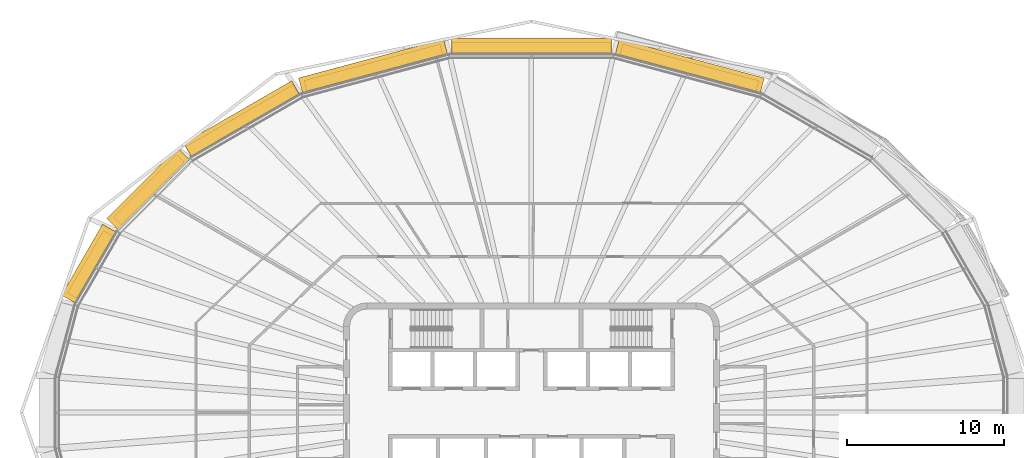
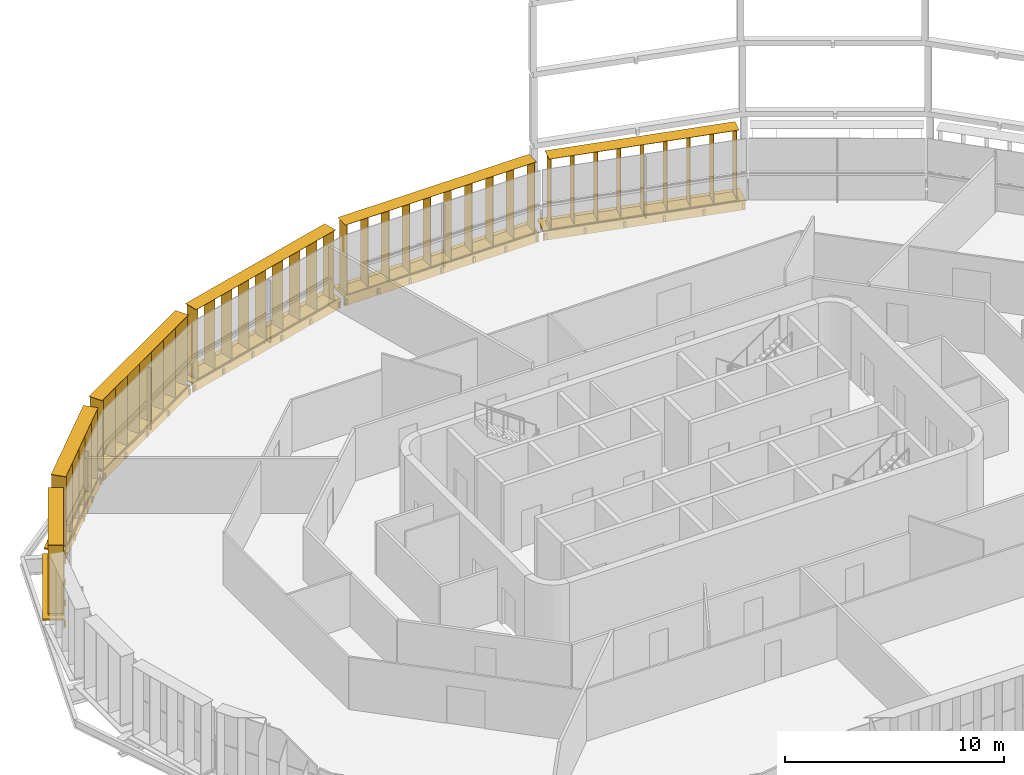
# One storey, part 19 of 20: 12 shading devices.
"""IFC4 building model written with IfcOpenShell, lengths in metres."""

from ifc_helpers import new_model, si_unit, direction, frame, origin, origin_2d, place, context, subcontext, project, spatial, rectangle, extrude, material, type_object, element, save


model = new_model("IFC4")

# Units and contexts
model_context = context("Model", 3, precision=1e-05, world=origin(), true_north=direction((0.0, 1.0)))
body_context = subcontext(model_context, "Body", "Model", "MODEL_VIEW")
ifc_project = project(units=[si_unit("LENGTHUNIT", "METRE"), si_unit("AREAUNIT", "SQUARE_METRE"), si_unit("VOLUMEUNIT", "CUBIC_METRE"), si_unit("PLANEANGLEUNIT", "RADIAN"), si_unit("MASSUNIT", "GRAM", prefix="KILO")], contexts=[model_context])

# Site, building, storey
site_placement = place(None, origin())
site = spatial("IfcSite", under=ifc_project, at=site_placement, CompositionType="ELEMENT")
building_placement = place(site_placement, origin())
building = spatial("IfcBuilding", under=site, at=building_placement, Name="Sahrelin Media Tower", CompositionType="ELEMENT")
storey_placement = place(building_placement, frame((0.0, 0.0, 255.0)))
storey = spatial("IfcBuildingStorey", under=building, at=storey_placement, Name="L55", CompositionType="ELEMENT", Elevation=255.0)

# Shading devices
ifc_material = material(Name="Champagne anodised aluminium 6063-T6", Category="aluminium")
shading_device_type_1 = type_object("IfcShadingDeviceType", Name="Fin cassette", PredefinedType="USERDEFINED", material=ifc_material)
placement_1 = place(storey_placement, frame((9.96875, 21.6005859375, 0.0), z_axis=(0.0, 0.0, 1.0), x_axis=(0.965928857556, -0.258807731996, 0.0)))
element("IfcShadingDevice", 1, at=placement_1, inside=storey, type_object=shading_device_type_1, Name="L55:FIN:L55-05", ObjectType="FIN", PredefinedType="USERDEFINED", context=body_context, shape_type="SweptSolid", body=[
    extrude(rectangle(XDim=9.0, YDim=0.699951171875, at=origin_2d()), frame((0.0, 0.419921875, 0.0)), (0.0, 0.0, 1.0), 0.02001953125),
    extrude(rectangle(XDim=9.0, YDim=0.699951171875, at=origin_2d()), frame((0.0, 0.419921875, 3.89990234375)), (0.0, 0.0, 1.0), 0.02001953125),
    extrude(rectangle(XDim=0.02001953125, YDim=0.699951171875, at=origin_2d()), frame((-4.39990234375, 0.419921875, 0.010009765625), z_axis=(0.0, 0.0, 1.0), x_axis=(1.0, 0.0, 0.0)), (0.0, 0.0, 1.0), 3.89990234375),
    extrude(rectangle(XDim=0.02001953125, YDim=0.699951171875, at=origin_2d()), frame((-3.300048828125, 0.419921875, 0.010009765625), z_axis=(0.0, 0.0, 1.0), x_axis=(1.0, 0.0, 0.0)), (0.0, 0.0, 1.0), 3.89990234375),
    extrude(rectangle(XDim=0.02001953125, YDim=0.699951171875, at=origin_2d()), frame((-2.199951171875, 0.419921875, 0.010009765625), z_axis=(0.0, 0.0, 1.0), x_axis=(1.0, 0.0, 0.0)), (0.0, 0.0, 1.0), 3.89990234375),
    extrude(rectangle(XDim=0.02001953125, YDim=0.699951171875, at=origin_2d()), frame((-1.10009765625, 0.419921875, 0.010009765625), z_axis=(0.0, 0.0, 1.0), x_axis=(1.0, 0.0, 0.0)), (0.0, 0.0, 1.0), 3.89990234375),
    extrude(rectangle(XDim=0.02001953125, YDim=0.699951171875, at=origin_2d()), frame((0.0, 0.419921875, 0.010009765625), z_axis=(0.0, 0.0, 1.0), x_axis=(1.0, 0.0, 0.0)), (0.0, 0.0, 1.0), 3.89990234375),
    extrude(rectangle(XDim=0.02001953125, YDim=0.699951171875, at=origin_2d()), frame((1.10009765625, 0.419921875, 0.010009765625), z_axis=(0.0, 0.0, 1.0), x_axis=(1.0, 0.0, 0.0)), (0.0, 0.0, 1.0), 3.89990234375),
    extrude(rectangle(XDim=0.02001953125, YDim=0.699951171875, at=origin_2d()), frame((2.199951171875, 0.419921875, 0.010009765625), z_axis=(0.0, 0.0, 1.0), x_axis=(1.0, 0.0, 0.0)), (0.0, 0.0, 1.0), 3.89990234375),
    extrude(rectangle(XDim=0.02001953125, YDim=0.699951171875, at=origin_2d()), frame((3.300048828125, 0.419921875, 0.010009765625), z_axis=(0.0, 0.0, 1.0), x_axis=(1.0, 0.0, 0.0)), (0.0, 0.0, 1.0), 3.89990234375),
    extrude(rectangle(XDim=0.02001953125, YDim=0.699951171875, at=origin_2d()), frame((4.39990234375, 0.419921875, 0.010009765625), z_axis=(0.0, 0.0, 1.0), x_axis=(1.0, 0.0, 0.0)), (0.0, 0.0, 1.0), 3.89990234375),
])
placement_2 = place(storey_placement, frame((0.0, 22.8662109375, 0.0), z_axis=(0.0, 0.0, 1.0), x_axis=(1.0, 0.0, 0.0)))
element("IfcShadingDevice", 2, at=placement_2, inside=storey, type_object=shading_device_type_1, Name="L55:FIN:L55-06", ObjectType="FIN", PredefinedType="USERDEFINED", context=body_context, shape_type="SweptSolid", body=[
    extrude(rectangle(XDim=10.10009765625, YDim=0.699951171875, at=origin_2d()), frame((0.0, 0.419921875, 0.0)), (0.0, 0.0, 1.0), 0.02001953125),
    extrude(rectangle(XDim=10.10009765625, YDim=0.699951171875, at=origin_2d()), frame((0.0, 0.419921875, 3.89990234375)), (0.0, 0.0, 1.0), 0.02001953125),
    extrude(rectangle(XDim=0.02001953125, YDim=0.699951171875, at=origin_2d()), frame((-4.949951171875, 0.419921875, 0.010009765625), z_axis=(0.0, 0.0, 1.0), x_axis=(1.0, 0.0, 0.0)), (0.0, 0.0, 1.0), 3.89990234375),
    extrude(rectangle(XDim=0.02001953125, YDim=0.699951171875, at=origin_2d()), frame((-3.85009765625, 0.419921875, 0.010009765625), z_axis=(0.0, 0.0, 1.0), x_axis=(1.0, 0.0, 0.0)), (0.0, 0.0, 1.0), 3.89990234375),
    extrude(rectangle(XDim=0.02001953125, YDim=0.699951171875, at=origin_2d()), frame((-2.75, 0.419921875, 0.010009765625), z_axis=(0.0, 0.0, 1.0), x_axis=(1.0, 0.0, 0.0)), (0.0, 0.0, 1.0), 3.89990234375),
    extrude(rectangle(XDim=0.02001953125, YDim=0.699951171875, at=origin_2d()), frame((-1.64990234375, 0.419921875, 0.010009765625), z_axis=(0.0, 0.0, 1.0), x_axis=(1.0, 0.0, 0.0)), (0.0, 0.0, 1.0), 3.89990234375),
    extrude(rectangle(XDim=0.02001953125, YDim=0.699951171875, at=origin_2d()), frame((-0.550048828125, 0.419921875, 0.010009765625), z_axis=(0.0, 0.0, 1.0), x_axis=(1.0, 0.0, 0.0)), (0.0, 0.0, 1.0), 3.89990234375),
    extrude(rectangle(XDim=0.02001953125, YDim=0.699951171875, at=origin_2d()), frame((0.550048828125, 0.419921875, 0.010009765625), z_axis=(0.0, 0.0, 1.0), x_axis=(1.0, 0.0, 0.0)), (0.0, 0.0, 1.0), 3.89990234375),
    extrude(rectangle(XDim=0.02001953125, YDim=0.699951171875, at=origin_2d()), frame((1.64990234375, 0.419921875, 0.010009765625), z_axis=(0.0, 0.0, 1.0), x_axis=(1.0, 0.0, 0.0)), (0.0, 0.0, 1.0), 3.89990234375),
    extrude(rectangle(XDim=0.02001953125, YDim=0.699951171875, at=origin_2d()), frame((2.75, 0.419921875, 0.010009765625), z_axis=(0.0, 0.0, 1.0), x_axis=(1.0, 0.0, 0.0)), (0.0, 0.0, 1.0), 3.89990234375),
    extrude(rectangle(XDim=0.02001953125, YDim=0.699951171875, at=origin_2d()), frame((3.85009765625, 0.419921875, 0.010009765625), z_axis=(0.0, 0.0, 1.0), x_axis=(1.0, 0.0, 0.0)), (0.0, 0.0, 1.0), 3.89990234375),
    extrude(rectangle(XDim=0.02001953125, YDim=0.699951171875, at=origin_2d()), frame((4.949951171875, 0.419921875, 0.010009765625), z_axis=(0.0, 0.0, 1.0), x_axis=(1.0, 0.0, 0.0)), (0.0, 0.0, 1.0), 3.89990234375),
])
placement_3 = place(storey_placement, frame((-9.96875, 21.6005859375, 0.0), z_axis=(0.0, 0.0, 1.0), x_axis=(0.965928857556, 0.258807731996, 0.0)))
element("IfcShadingDevice", 3, at=placement_3, inside=storey, type_object=shading_device_type_1, Name="L55:FIN:L55-07", ObjectType="FIN", PredefinedType="USERDEFINED", context=body_context, shape_type="SweptSolid", body=[
    extrude(rectangle(XDim=9.0, YDim=0.699951171875, at=origin_2d()), frame((0.0, 0.419921875, 0.0)), (0.0, 0.0, 1.0), 0.02001953125),
    extrude(rectangle(XDim=9.0, YDim=0.699951171875, at=origin_2d()), frame((0.0, 0.419921875, 3.89990234375)), (0.0, 0.0, 1.0), 0.02001953125),
    extrude(rectangle(XDim=0.02001953125, YDim=0.699951171875, at=origin_2d()), frame((-4.39990234375, 0.419921875, 0.010009765625), z_axis=(0.0, 0.0, 1.0), x_axis=(1.0, 0.0, 0.0)), (0.0, 0.0, 1.0), 3.89990234375),
    extrude(rectangle(XDim=0.02001953125, YDim=0.699951171875, at=origin_2d()), frame((-3.300048828125, 0.419921875, 0.010009765625), z_axis=(0.0, 0.0, 1.0), x_axis=(1.0, 0.0, 0.0)), (0.0, 0.0, 1.0), 3.89990234375),
    extrude(rectangle(XDim=0.02001953125, YDim=0.699951171875, at=origin_2d()), frame((-2.199951171875, 0.419921875, 0.010009765625), z_axis=(0.0, 0.0, 1.0), x_axis=(1.0, 0.0, 0.0)), (0.0, 0.0, 1.0), 3.89990234375),
    extrude(rectangle(XDim=0.02001953125, YDim=0.699951171875, at=origin_2d()), frame((-1.10009765625, 0.419921875, 0.010009765625), z_axis=(0.0, 0.0, 1.0), x_axis=(1.0, 0.0, 0.0)), (0.0, 0.0, 1.0), 3.89990234375),
    extrude(rectangle(XDim=0.02001953125, YDim=0.699951171875, at=origin_2d()), frame((0.0, 0.419921875, 0.010009765625), z_axis=(0.0, 0.0, 1.0), x_axis=(1.0, 0.0, 0.0)), (0.0, 0.0, 1.0), 3.89990234375),
    extrude(rectangle(XDim=0.02001953125, YDim=0.699951171875, at=origin_2d()), frame((1.10009765625, 0.419921875, 0.010009765625), z_axis=(0.0, 0.0, 1.0), x_axis=(1.0, 0.0, 0.0)), (0.0, 0.0, 1.0), 3.89990234375),
    extrude(rectangle(XDim=0.02001953125, YDim=0.699951171875, at=origin_2d()), frame((2.199951171875, 0.419921875, 0.010009765625), z_axis=(0.0, 0.0, 1.0), x_axis=(1.0, 0.0, 0.0)), (0.0, 0.0, 1.0), 3.89990234375),
    extrude(rectangle(XDim=0.02001953125, YDim=0.699951171875, at=origin_2d()), frame((3.300048828125, 0.419921875, 0.010009765625), z_axis=(0.0, 0.0, 1.0), x_axis=(1.0, 0.0, 0.0)), (0.0, 0.0, 1.0), 3.89990234375),
    extrude(rectangle(XDim=0.02001953125, YDim=0.699951171875, at=origin_2d()), frame((4.39990234375, 0.419921875, 0.010009765625), z_axis=(0.0, 0.0, 1.0), x_axis=(1.0, 0.0, 0.0)), (0.0, 0.0, 1.0), 3.89990234375),
])
placement_4 = place(storey_placement, frame((-18.234375, 18.2900390625, 0.0), z_axis=(0.0, 0.0, 1.0), x_axis=(0.866019052629, 0.500011000363, 0.0)))
element("IfcShadingDevice", 4, at=placement_4, inside=storey, type_object=shading_device_type_1, Name="L55:FIN:L55-08", ObjectType="FIN", PredefinedType="USERDEFINED", context=body_context, shape_type="SweptSolid", body=[
    extrude(rectangle(XDim=7.89990234375, YDim=0.699951171875, at=origin_2d()), frame((0.0, 0.419921875, 0.0)), (0.0, 0.0, 1.0), 0.02001953125),
    extrude(rectangle(XDim=7.89990234375, YDim=0.699951171875, at=origin_2d()), frame((0.0, 0.419921875, 3.89990234375)), (0.0, 0.0, 1.0), 0.02001953125),
    extrude(rectangle(XDim=0.02001953125, YDim=0.699951171875, at=origin_2d()), frame((-3.85009765625, 0.419921875, 0.010009765625), z_axis=(0.0, 0.0, 1.0), x_axis=(1.0, 0.0, 0.0)), (0.0, 0.0, 1.0), 3.89990234375),
    extrude(rectangle(XDim=0.02001953125, YDim=0.699951171875, at=origin_2d()), frame((-2.75, 0.419921875, 0.010009765625), z_axis=(0.0, 0.0, 1.0), x_axis=(1.0, 0.0, 0.0)), (0.0, 0.0, 1.0), 3.89990234375),
    extrude(rectangle(XDim=0.02001953125, YDim=0.699951171875, at=origin_2d()), frame((-1.64990234375, 0.419921875, 0.010009765625), z_axis=(0.0, 0.0, 1.0), x_axis=(1.0, 0.0, 0.0)), (0.0, 0.0, 1.0), 3.89990234375),
    extrude(rectangle(XDim=0.02001953125, YDim=0.699951171875, at=origin_2d()), frame((-0.550048828125, 0.419921875, 0.010009765625), z_axis=(0.0, 0.0, 1.0), x_axis=(1.0, 0.0, 0.0)), (0.0, 0.0, 1.0), 3.89990234375),
    extrude(rectangle(XDim=0.02001953125, YDim=0.699951171875, at=origin_2d()), frame((0.550048828125, 0.419921875, 0.010009765625), z_axis=(0.0, 0.0, 1.0), x_axis=(1.0, 0.0, 0.0)), (0.0, 0.0, 1.0), 3.89990234375),
    extrude(rectangle(XDim=0.02001953125, YDim=0.699951171875, at=origin_2d()), frame((1.64990234375, 0.419921875, 0.010009765625), z_axis=(0.0, 0.0, 1.0), x_axis=(1.0, 0.0, 0.0)), (0.0, 0.0, 1.0), 3.89990234375),
    extrude(rectangle(XDim=0.02001953125, YDim=0.699951171875, at=origin_2d()), frame((2.75, 0.419921875, 0.010009765625), z_axis=(0.0, 0.0, 1.0), x_axis=(1.0, 0.0, 0.0)), (0.0, 0.0, 1.0), 3.89990234375),
    extrude(rectangle(XDim=0.02001953125, YDim=0.699951171875, at=origin_2d()), frame((3.85009765625, 0.419921875, 0.010009765625), z_axis=(0.0, 0.0, 1.0), x_axis=(1.0, 0.0, 0.0)), (0.0, 0.0, 1.0), 3.89990234375),
])
placement_5 = place(storey_placement, frame((-24.102294921875, 13.9189453125, 0.0), z_axis=(0.0, 0.0, 1.0), x_axis=(0.707106781187, 0.707106781187, 0.0)))
element("IfcShadingDevice", 5, at=placement_5, inside=storey, type_object=shading_device_type_1, Name="L55:FIN:L55-09", ObjectType="FIN", PredefinedType="USERDEFINED", context=body_context, shape_type="SweptSolid", body=[
    extrude(rectangle(XDim=5.699951171875, YDim=0.699951171875, at=origin_2d()), frame((0.0, 0.419921875, 0.0)), (0.0, 0.0, 1.0), 0.02001953125),
    extrude(rectangle(XDim=5.699951171875, YDim=0.699951171875, at=origin_2d()), frame((0.0, 0.419921875, 3.89990234375)), (0.0, 0.0, 1.0), 0.02001953125),
    extrude(rectangle(XDim=0.02001953125, YDim=0.699951171875, at=origin_2d()), frame((-2.75, 0.419921875, 0.010009765625), z_axis=(0.0, 0.0, 1.0), x_axis=(1.0, 0.0, 0.0)), (0.0, 0.0, 1.0), 3.89990234375),
    extrude(rectangle(XDim=0.02001953125, YDim=0.699951171875, at=origin_2d()), frame((-1.64990234375, 0.419921875, 0.010009765625), z_axis=(0.0, 0.0, 1.0), x_axis=(1.0, 0.0, 0.0)), (0.0, 0.0, 1.0), 3.89990234375),
    extrude(rectangle(XDim=0.02001953125, YDim=0.699951171875, at=origin_2d()), frame((-0.550048828125, 0.419921875, 0.010009765625), z_axis=(0.0, 0.0, 1.0), x_axis=(1.0, 0.0, 0.0)), (0.0, 0.0, 1.0), 3.89990234375),
    extrude(rectangle(XDim=0.02001953125, YDim=0.699951171875, at=origin_2d()), frame((0.550048828125, 0.419921875, 0.010009765625), z_axis=(0.0, 0.0, 1.0), x_axis=(1.0, 0.0, 0.0)), (0.0, 0.0, 1.0), 3.89990234375),
    extrude(rectangle(XDim=0.02001953125, YDim=0.699951171875, at=origin_2d()), frame((1.64990234375, 0.419921875, 0.010009765625), z_axis=(0.0, 0.0, 1.0), x_axis=(1.0, 0.0, 0.0)), (0.0, 0.0, 1.0), 3.89990234375),
    extrude(rectangle(XDim=0.02001953125, YDim=0.699951171875, at=origin_2d()), frame((2.75, 0.419921875, 0.010009765625), z_axis=(0.0, 0.0, 1.0), x_axis=(1.0, 0.0, 0.0)), (0.0, 0.0, 1.0), 3.89990234375),
])
placement_6 = place(storey_placement, frame((-27.784912109375, 9.243408203125, 0.0), z_axis=(0.0, 0.0, 1.0), x_axis=(0.500011000363, 0.866019052629, 0.0)))
element("IfcShadingDevice", 6, at=placement_6, inside=storey, type_object=shading_device_type_1, Name="L55:FIN:L55-10", ObjectType="FIN", PredefinedType="USERDEFINED", context=body_context, shape_type="SweptSolid", body=[
    extrude(rectangle(XDim=4.60009765625, YDim=0.699951171875, at=origin_2d()), frame((0.0, 0.419921875, 0.0)), (0.0, 0.0, 1.0), 0.02001953125),
    extrude(rectangle(XDim=4.60009765625, YDim=0.699951171875, at=origin_2d()), frame((0.0, 0.419921875, 3.89990234375)), (0.0, 0.0, 1.0), 0.02001953125),
    extrude(rectangle(XDim=0.02001953125, YDim=0.699951171875, at=origin_2d()), frame((-2.199951171875, 0.419921875, 0.010009765625), z_axis=(0.0, 0.0, 1.0), x_axis=(1.0, 0.0, 0.0)), (0.0, 0.0, 1.0), 3.89990234375),
    extrude(rectangle(XDim=0.02001953125, YDim=0.699951171875, at=origin_2d()), frame((-1.10009765625, 0.419921875, 0.010009765625), z_axis=(0.0, 0.0, 1.0), x_axis=(1.0, 0.0, 0.0)), (0.0, 0.0, 1.0), 3.89990234375),
    extrude(rectangle(XDim=0.02001953125, YDim=0.699951171875, at=origin_2d()), frame((0.0, 0.419921875, 0.010009765625), z_axis=(0.0, 0.0, 1.0), x_axis=(1.0, 0.0, 0.0)), (0.0, 0.0, 1.0), 3.89990234375),
    extrude(rectangle(XDim=0.02001953125, YDim=0.699951171875, at=origin_2d()), frame((1.10009765625, 0.419921875, 0.010009765625), z_axis=(0.0, 0.0, 1.0), x_axis=(1.0, 0.0, 0.0)), (0.0, 0.0, 1.0), 3.89990234375),
    extrude(rectangle(XDim=0.02001953125, YDim=0.699951171875, at=origin_2d()), frame((2.199951171875, 0.419921875, 0.010009765625), z_axis=(0.0, 0.0, 1.0), x_axis=(1.0, 0.0, 0.0)), (0.0, 0.0, 1.0), 3.89990234375),
])
shading_device_type_2 = type_object("IfcShadingDeviceType", Name="Sunshade band", PredefinedType="USERDEFINED", material=ifc_material)
element("IfcShadingDevice", 7, at=placement_1, inside=storey, type_object=shading_device_type_2, Name="L55:SUN:L55-05", ObjectType="SUNSHADE", PredefinedType="USERDEFINED", context=body_context, shape_type="SweptSolid", body=[
    extrude(rectangle(XDim=9.580322265625, YDim=0.050048828125, at=origin_2d()), frame((0.0, 0.044921875, -0.55126953125)), (0.0, 0.0, 1.0), 0.471435546875),
    extrude(rectangle(XDim=9.580322265625, YDim=1.0, at=origin_2d()), frame((0.0, 0.52001953125, -0.080078125)), (0.0, 0.0, 1.0), 0.080078125),
    extrude(rectangle(XDim=0.10009765625, YDim=0.074951171875, at=origin_2d()), frame((-4.690185546875, -0.017578125, -0.47021484375)), (0.0, 0.0, 1.0), 0.300048828125),
    extrude(rectangle(XDim=0.10009765625, YDim=0.074951171875, at=origin_2d()), frame((-2.814208984375, -0.017578125, -0.47021484375)), (0.0, 0.0, 1.0), 0.300048828125),
    extrude(rectangle(XDim=0.10009765625, YDim=0.074951171875, at=origin_2d()), frame((-0.93798828125, -0.017578125, -0.47021484375)), (0.0, 0.0, 1.0), 0.300048828125),
    extrude(rectangle(XDim=0.10009765625, YDim=0.074951171875, at=origin_2d()), frame((0.93798828125, -0.017578125, -0.47021484375)), (0.0, 0.0, 1.0), 0.300048828125),
    extrude(rectangle(XDim=0.10009765625, YDim=0.074951171875, at=origin_2d()), frame((2.814208984375, -0.017578125, -0.47021484375)), (0.0, 0.0, 1.0), 0.300048828125),
    extrude(rectangle(XDim=0.10009765625, YDim=0.074951171875, at=origin_2d()), frame((4.690185546875, -0.017578125, -0.47021484375)), (0.0, 0.0, 1.0), 0.300048828125),
])
element("IfcShadingDevice", 8, at=placement_2, inside=storey, type_object=shading_device_type_2, Name="L55:SUN:L55-06", ObjectType="SUNSHADE", PredefinedType="USERDEFINED", context=body_context, shape_type="SweptSolid", body=[
    extrude(rectangle(XDim=10.290283203125, YDim=0.050048828125, at=origin_2d()), frame((0.0, 0.044921875, -0.55126953125)), (0.0, 0.0, 1.0), 0.471435546875),
    extrude(rectangle(XDim=10.290283203125, YDim=1.0, at=origin_2d()), frame((0.0, 0.52001953125, -0.080078125)), (0.0, 0.0, 1.0), 0.080078125),
    extrude(rectangle(XDim=0.10009765625, YDim=0.074951171875, at=origin_2d()), frame((-5.045166015625, -0.017578125, -0.47021484375)), (0.0, 0.0, 1.0), 0.300048828125),
    extrude(rectangle(XDim=0.10009765625, YDim=0.074951171875, at=origin_2d()), frame((-3.363525390625, -0.017578125, -0.47021484375)), (0.0, 0.0, 1.0), 0.300048828125),
    extrude(rectangle(XDim=0.10009765625, YDim=0.074951171875, at=origin_2d()), frame((-1.681640625, -0.017578125, -0.47021484375)), (0.0, 0.0, 1.0), 0.300048828125),
    extrude(rectangle(XDim=0.10009765625, YDim=0.074951171875, at=origin_2d()), frame((0.0, -0.017578125, -0.47021484375)), (0.0, 0.0, 1.0), 0.300048828125),
    extrude(rectangle(XDim=0.10009765625, YDim=0.074951171875, at=origin_2d()), frame((1.681640625, -0.017578125, -0.47021484375)), (0.0, 0.0, 1.0), 0.300048828125),
    extrude(rectangle(XDim=0.10009765625, YDim=0.074951171875, at=origin_2d()), frame((3.363525390625, -0.017578125, -0.47021484375)), (0.0, 0.0, 1.0), 0.300048828125),
    extrude(rectangle(XDim=0.10009765625, YDim=0.074951171875, at=origin_2d()), frame((5.045166015625, -0.017578125, -0.47021484375)), (0.0, 0.0, 1.0), 0.300048828125),
])
element("IfcShadingDevice", 9, at=placement_3, inside=storey, type_object=shading_device_type_2, Name="L55:SUN:L55-07", ObjectType="SUNSHADE", PredefinedType="USERDEFINED", context=body_context, shape_type="SweptSolid", body=[
    extrude(rectangle(XDim=9.580322265625, YDim=0.050048828125, at=origin_2d()), frame((0.0, 0.044921875, -0.55126953125)), (0.0, 0.0, 1.0), 0.471435546875),
    extrude(rectangle(XDim=9.580322265625, YDim=1.0, at=origin_2d()), frame((0.0, 0.52001953125, -0.080078125)), (0.0, 0.0, 1.0), 0.080078125),
    extrude(rectangle(XDim=0.10009765625, YDim=0.074951171875, at=origin_2d()), frame((-4.690185546875, -0.017578125, -0.47021484375)), (0.0, 0.0, 1.0), 0.300048828125),
    extrude(rectangle(XDim=0.10009765625, YDim=0.074951171875, at=origin_2d()), frame((-2.814208984375, -0.017578125, -0.47021484375)), (0.0, 0.0, 1.0), 0.300048828125),
    extrude(rectangle(XDim=0.10009765625, YDim=0.074951171875, at=origin_2d()), frame((-0.93798828125, -0.017578125, -0.47021484375)), (0.0, 0.0, 1.0), 0.300048828125),
    extrude(rectangle(XDim=0.10009765625, YDim=0.074951171875, at=origin_2d()), frame((0.93798828125, -0.017578125, -0.47021484375)), (0.0, 0.0, 1.0), 0.300048828125),
    extrude(rectangle(XDim=0.10009765625, YDim=0.074951171875, at=origin_2d()), frame((2.814208984375, -0.017578125, -0.47021484375)), (0.0, 0.0, 1.0), 0.300048828125),
    extrude(rectangle(XDim=0.10009765625, YDim=0.074951171875, at=origin_2d()), frame((4.690185546875, -0.017578125, -0.47021484375)), (0.0, 0.0, 1.0), 0.300048828125),
])
element("IfcShadingDevice", 10, at=placement_4, inside=storey, type_object=shading_device_type_2, Name="L55:SUN:L55-08", ObjectType="SUNSHADE", PredefinedType="USERDEFINED", context=body_context, shape_type="SweptSolid", body=[
    extrude(rectangle(XDim=7.97998046875, YDim=0.050048828125, at=origin_2d()), frame((0.0, 0.044921875, -0.55126953125)), (0.0, 0.0, 1.0), 0.471435546875),
    extrude(rectangle(XDim=7.97998046875, YDim=1.0, at=origin_2d()), frame((0.0, 0.52001953125, -0.080078125)), (0.0, 0.0, 1.0), 0.080078125),
    extrude(rectangle(XDim=0.10009765625, YDim=0.074951171875, at=origin_2d()), frame((-3.889892578125, -0.017578125, -0.47021484375)), (0.0, 0.0, 1.0), 0.300048828125),
    extrude(rectangle(XDim=0.10009765625, YDim=0.074951171875, at=origin_2d()), frame((-1.945068359375, -0.017578125, -0.47021484375)), (0.0, 0.0, 1.0), 0.300048828125),
    extrude(rectangle(XDim=0.10009765625, YDim=0.074951171875, at=origin_2d()), frame((0.0, -0.017578125, -0.47021484375)), (0.0, 0.0, 1.0), 0.300048828125),
    extrude(rectangle(XDim=0.10009765625, YDim=0.074951171875, at=origin_2d()), frame((1.945068359375, -0.017578125, -0.47021484375)), (0.0, 0.0, 1.0), 0.300048828125),
    extrude(rectangle(XDim=0.10009765625, YDim=0.074951171875, at=origin_2d()), frame((3.889892578125, -0.017578125, -0.47021484375)), (0.0, 0.0, 1.0), 0.300048828125),
])
element("IfcShadingDevice", 11, at=placement_5, inside=storey, type_object=shading_device_type_2, Name="L55:SUN:L55-09", ObjectType="SUNSHADE", PredefinedType="USERDEFINED", context=body_context, shape_type="SweptSolid", body=[
    extrude(rectangle(XDim=6.379150390625, YDim=0.050048828125, at=origin_2d()), frame((0.0, 0.044921875, -0.55126953125)), (0.0, 0.0, 1.0), 0.471435546875),
    extrude(rectangle(XDim=6.379150390625, YDim=1.0, at=origin_2d()), frame((0.0, 0.52001953125, -0.080078125)), (0.0, 0.0, 1.0), 0.080078125),
    extrude(rectangle(XDim=0.10009765625, YDim=0.074951171875, at=origin_2d()), frame((-3.089599609375, -0.017578125, -0.47021484375)), (0.0, 0.0, 1.0), 0.300048828125),
    extrude(rectangle(XDim=0.10009765625, YDim=0.074951171875, at=origin_2d()), frame((-1.544921875, -0.017578125, -0.47021484375)), (0.0, 0.0, 1.0), 0.300048828125),
    extrude(rectangle(XDim=0.10009765625, YDim=0.074951171875, at=origin_2d()), frame((0.0, -0.017578125, -0.47021484375)), (0.0, 0.0, 1.0), 0.300048828125),
    extrude(rectangle(XDim=0.10009765625, YDim=0.074951171875, at=origin_2d()), frame((1.544921875, -0.017578125, -0.47021484375)), (0.0, 0.0, 1.0), 0.300048828125),
    extrude(rectangle(XDim=0.10009765625, YDim=0.074951171875, at=origin_2d()), frame((3.089599609375, -0.017578125, -0.47021484375)), (0.0, 0.0, 1.0), 0.300048828125),
])
element("IfcShadingDevice", 12, at=placement_6, inside=storey, type_object=shading_device_type_2, Name="L55:SUN:L55-10", ObjectType="SUNSHADE", PredefinedType="USERDEFINED", context=body_context, shape_type="SweptSolid", body=[
    extrude(rectangle(XDim=5.2255859375, YDim=0.050048828125, at=origin_2d()), frame((0.0, 0.044921875, -0.55126953125)), (0.0, 0.0, 1.0), 0.471435546875),
    extrude(rectangle(XDim=5.2255859375, YDim=1.0, at=origin_2d()), frame((0.0, 0.52001953125, -0.080078125)), (0.0, 0.0, 1.0), 0.080078125),
    extrude(rectangle(XDim=0.10009765625, YDim=0.074951171875, at=origin_2d()), frame((-2.5126953125, -0.017578125, -0.47021484375)), (0.0, 0.0, 1.0), 0.300048828125),
    extrude(rectangle(XDim=0.10009765625, YDim=0.074951171875, at=origin_2d()), frame((-0.837646484375, -0.017578125, -0.47021484375)), (0.0, 0.0, 1.0), 0.300048828125),
    extrude(rectangle(XDim=0.10009765625, YDim=0.074951171875, at=origin_2d()), frame((0.837646484375, -0.017578125, -0.47021484375)), (0.0, 0.0, 1.0), 0.300048828125),
    extrude(rectangle(XDim=0.10009765625, YDim=0.074951171875, at=origin_2d()), frame((2.5126953125, -0.017578125, -0.47021484375)), (0.0, 0.0, 1.0), 0.300048828125),
])

save(model, "model.ifc")
